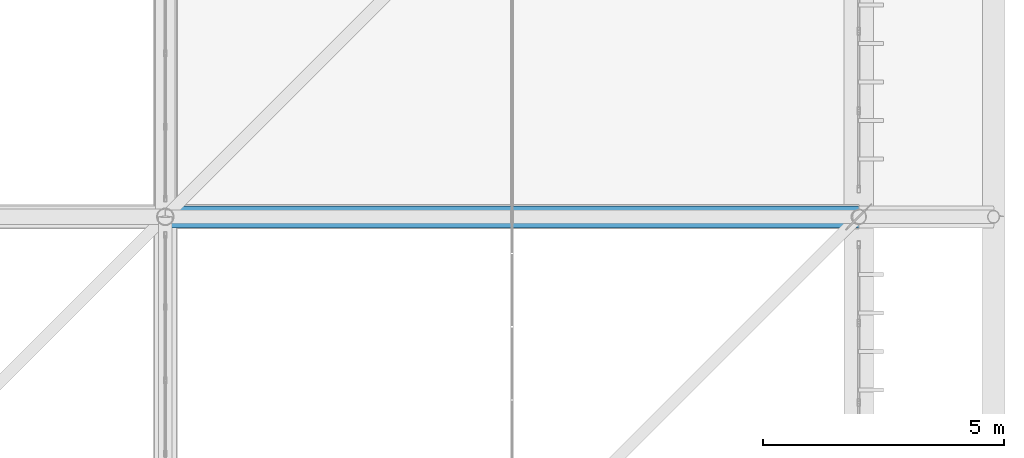
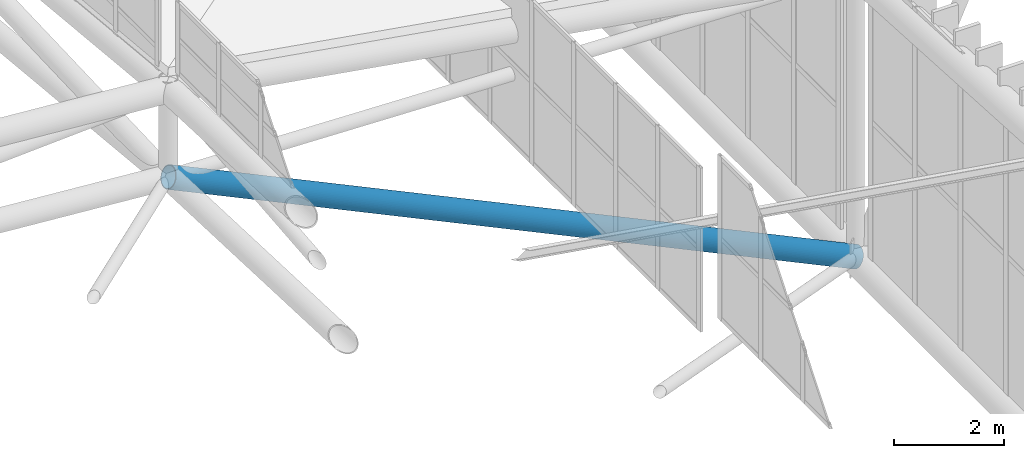
# One storey, part 287 of 397: 1 beam.
"""IFC4 building model written with IfcOpenShell, lengths in metres."""

from ifc_helpers import new_model, si_unit, direction, frame, origin, origin_2d, place, context, subcontext, project, spatial, hollow_circle, extrude, material, material_profile, profile_set, type_object, element, save


model = new_model("IFC4")

# Units and contexts
model_context = context("Model", 3, precision=1e-05, world=origin(), true_north=direction((0.0, 1.0)))
body_context = subcontext(model_context, "Body", "Model", "MODEL_VIEW")
ifc_project = project(units=[si_unit("LENGTHUNIT", "METRE"), si_unit("AREAUNIT", "SQUARE_METRE"), si_unit("VOLUMEUNIT", "CUBIC_METRE"), si_unit("PLANEANGLEUNIT", "RADIAN"), si_unit("MASSUNIT", "GRAM", prefix="KILO")], contexts=[model_context])

# Site, building, storey
site_placement = place(None, origin())
site = spatial("IfcSite", under=ifc_project, at=site_placement, CompositionType="ELEMENT")
building_placement = place(site_placement, origin())
building = spatial("IfcBuilding", under=site, at=building_placement, Name="Qandorah Velis Arena", CompositionType="ELEMENT")
storey_placement = place(building_placement, frame((0.0, 0.0, 27.5)))
storey = spatial("IfcBuildingStorey", under=building, at=storey_placement, Name="RF", CompositionType="ELEMENT", Elevation=27.5)

# Beam
ifc_material = material(Name="Steel S355", Category="steel")
ifc_material_profile = material_profile(ifc_material, hollow_circle(Radius=0.228515625, WallThickness=0.01611328125, at=origin_2d()), Name="CHS 457x16")
ifc_profile_set = profile_set([ifc_material_profile], Name="Steel S355")
beam_type = type_object("IfcBeamType", Name="STR-SFC-CHS457X16", PredefinedType="USERDEFINED", material=ifc_profile_set)
beam_placement = place(storey_placement, frame((100.800048828125, 86.39990234375, 6.90771484375), z_axis=(0.90406279048, 0.0, -0.427399661757), x_axis=(0.0, 1.0, 0.0)))
element("IfcBeam", 1, at=beam_placement, inside=storey, type_object=beam_type, Name="Space frame roof truss bottom chord X 6.5", ObjectType="ROOF TRUSS", PredefinedType="USERDEFINED", context=body_context, shape_type="SweptSolid", body=[
    extrude(hollow_circle(Radius=0.228515625, WallThickness=0.01611328125, at=origin_2d()), origin(), (0.0, 0.0, 1.0), 15.927978515625),
])

save(model, "model.ifc")
